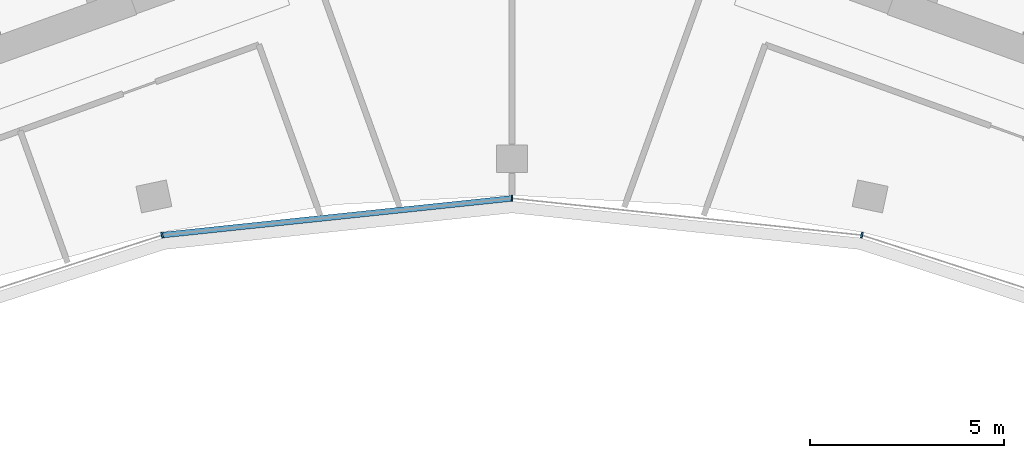
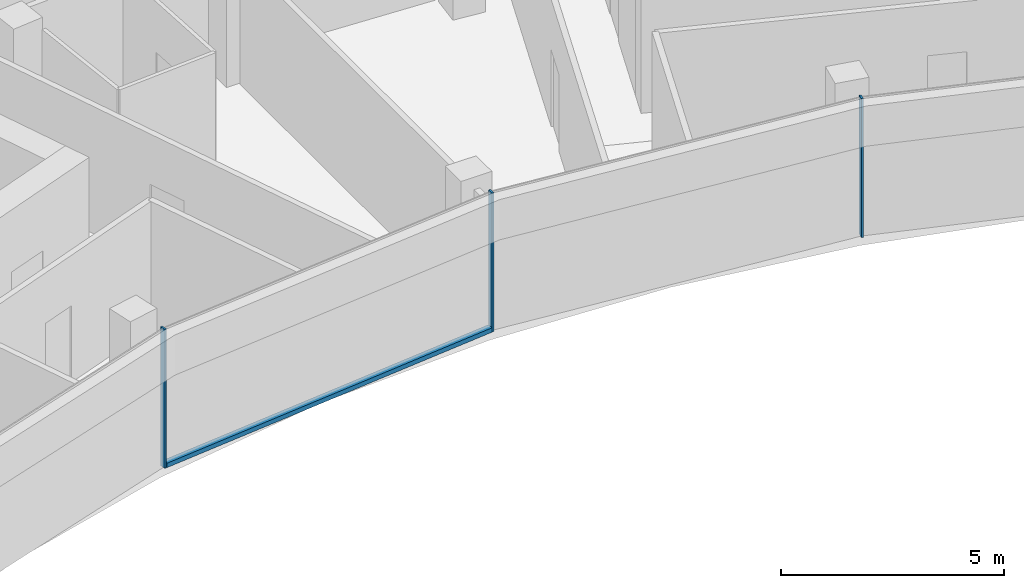
# One storey, part 5 of 18: 4 members, 1 element without a shape of its own.
"""IFC4 building model written with IfcOpenShell, lengths in metres."""

from ifc_helpers import new_model, si_unit, direction, frame, origin, origin_2d, place, context, subcontext, project, spatial, rectangle, extrude, material, layer, layer_set, material_profile, profile_set, type_object, element, aggregate, save


model = new_model("IFC4")

# Units and contexts
model_context = context("Model", 3, precision=1e-05, world=origin(), true_north=direction((0.0, 1.0)))
body_context = subcontext(model_context, "Body", "Model", "MODEL_VIEW")
ifc_project = project(units=[si_unit("LENGTHUNIT", "METRE"), si_unit("AREAUNIT", "SQUARE_METRE"), si_unit("VOLUMEUNIT", "CUBIC_METRE"), si_unit("PLANEANGLEUNIT", "RADIAN"), si_unit("MASSUNIT", "GRAM", prefix="KILO")], contexts=[model_context])

# Site, building, storey
site_placement = place(None, origin())
site = spatial("IfcSite", under=ifc_project, at=site_placement, CompositionType="ELEMENT")
building_placement = place(site_placement, origin())
building = spatial("IfcBuilding", under=site, at=building_placement, Name="Stone Belt Terrace Tower", CompositionType="ELEMENT")
storey_placement = place(building_placement, frame((0.0, 0.0, 284.60009765625)))
storey = spatial("IfcBuildingStorey", under=building, at=storey_placement, Name="L69", CompositionType="ELEMENT", Elevation=284.60009765625)

# Curtain wall, members
ifc_material = material(Name="Aluminium 6063-T6 anodised frame", Category="aluminium")
ifc_layer = layer(ifc_material, 0.14990234375)
ifc_layer_set = layer_set([ifc_layer], Name="CW-B unitised concave-face curtain wall")
curtain_wall_type = type_object("IfcCurtainWallType", Name="CW-B unitised concave-face curtain wall", PredefinedType="NOTDEFINED", material=ifc_layer_set)
curtain_wall_placement = place(storey_placement, origin())
curtain_wall = element("IfcCurtainWall", 1, at=curtain_wall_placement, inside=storey, type_object=curtain_wall_type, Name="CW-B concave face L69", PredefinedType="NOTDEFINED")
ifc_material_profile_1 = material_profile(ifc_material, rectangle(XDim=0.14990234375, YDim=0.050048828125, at=origin_2d()), Name="Aluminium 6063-T6 50x150")
ifc_profile_set_1 = profile_set([ifc_material_profile_1], Name="Aluminium 6063-T6 anodised frame")
member_type_1 = type_object("IfcMemberType", Name="CW-B mullion 50 x 150", PredefinedType="MULLION", material=ifc_profile_set_1)
member_1_placement = place(storey_placement, frame((-9.028564453125, 42.4755859375, 0.0), z_axis=(0.0, 0.0, 1.0), x_axis=(-0.207911690818, 0.978147600734, 0.0)))
member_1 = element("IfcMember", 2, at=member_1_placement, type_object=member_type_1, Name="CW-B mullion 4", PredefinedType="MULLION", context=body_context, shape_type="SweptSolid", body=[
    extrude(rectangle(XDim=0.14990234375, YDim=0.050048828125, at=origin_2d()), origin(), (0.0, 0.0, 1.0), 3.7998046875),
])
member_2_placement = place(storey_placement, frame((0.0, 43.424560546875, 0.0), z_axis=(0.0, 0.0, 1.0), x_axis=(0.0, 1.0, 0.0)))
member_2 = element("IfcMember", 3, at=member_2_placement, type_object=member_type_1, Name="CW-B mullion 5", PredefinedType="MULLION", context=body_context, shape_type="SweptSolid", body=[
    extrude(rectangle(XDim=0.14990234375, YDim=0.050048828125, at=origin_2d()), origin(), (0.0, 0.0, 1.0), 3.7998046875),
])
member_3_placement = place(storey_placement, frame((9.028564453125, 42.4755859375, 0.0), z_axis=(0.0, 0.0, 1.0), x_axis=(0.207911690818, 0.978147600734, 0.0)))
member_3 = element("IfcMember", 4, at=member_3_placement, type_object=member_type_1, Name="CW-B mullion 6", PredefinedType="MULLION", context=body_context, shape_type="SweptSolid", body=[
    extrude(rectangle(XDim=0.14990234375, YDim=0.050048828125, at=origin_2d()), origin(), (0.0, 0.0, 1.0), 3.7998046875),
])
ifc_material_profile_2 = material_profile(ifc_material, rectangle(XDim=0.14990234375, YDim=0.1201171875, at=origin_2d()), Name="Aluminium 6063-T6 150x120")
ifc_profile_set_2 = profile_set([ifc_material_profile_2], Name="Aluminium 6063-T6 anodised frame")
member_type_2 = type_object("IfcMemberType", Name="CW-B transom 120 x 150", PredefinedType="USERDEFINED", material=ifc_profile_set_2)
member_4_placement = place(storey_placement, frame((-8.995849609375, 42.47900390625, 0.059814453125), z_axis=(0.994521323407, 0.104533904969, 0.0), x_axis=(-0.104533904969, 0.994521323407, 0.0)))
member_4 = element("IfcMember", 5, at=member_4_placement, type_object=member_type_2, Name="CW-B transom 4.1", ObjectType="TRANSOM", PredefinedType="USERDEFINED", context=body_context, shape_type="SweptSolid", body=[
    extrude(rectangle(XDim=0.14990234375, YDim=0.1201171875, at=origin_2d()), origin(), (0.0, 0.0, 1.0), 9.0126953125),
])
aggregate(curtain_wall, [member_1, member_2, member_3, member_4])

save(model, "model.ifc")
